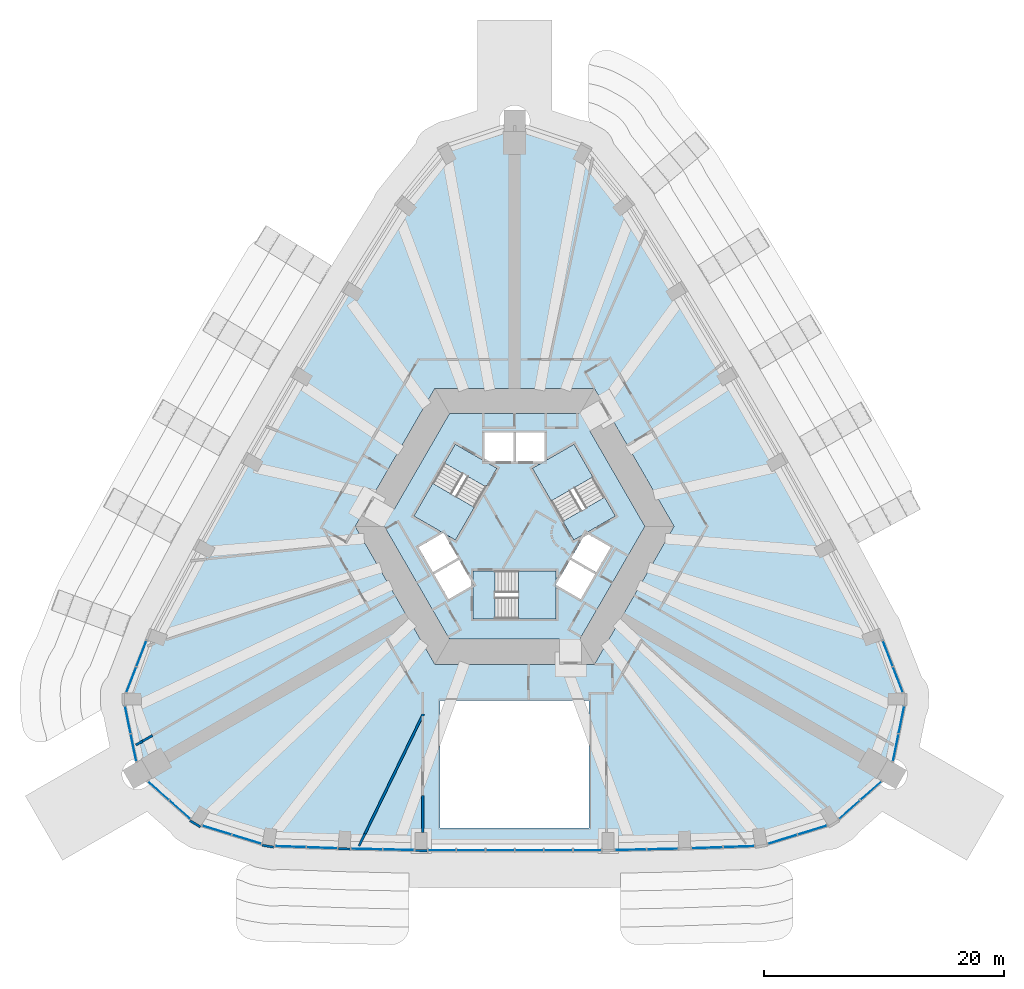
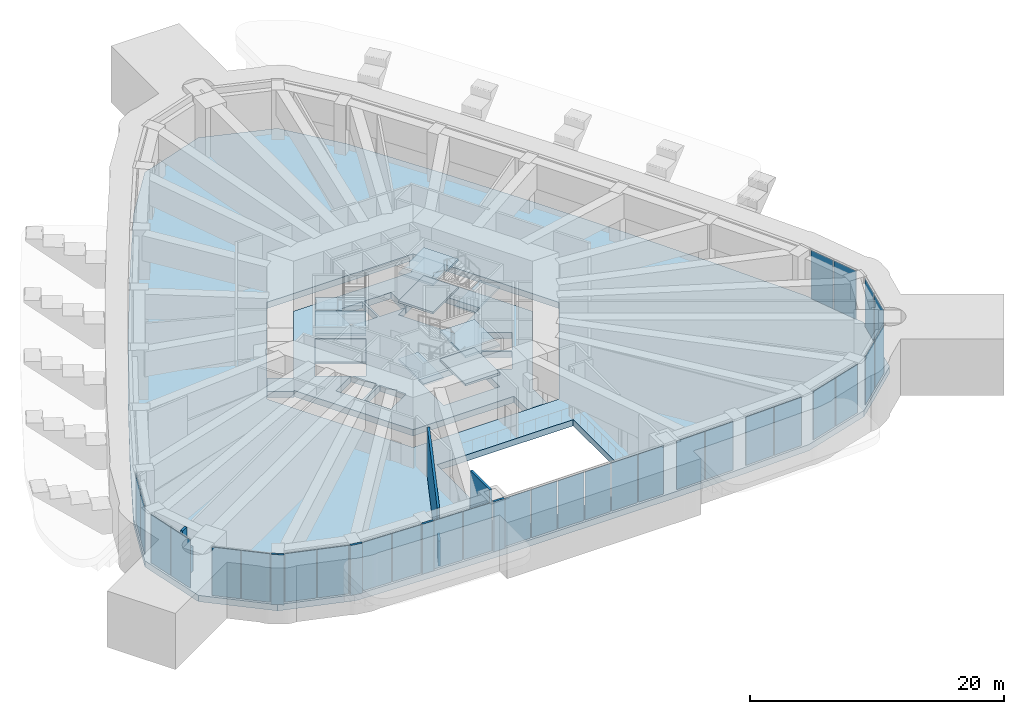
# One storey, part 7 of 21: 30 plates, 11 slabs, 9 walls, 16 elements without a shape of their own.
"""IFC4 building model written with IfcOpenShell, lengths in metres."""

from ifc_helpers import new_model, si_unit, direction, frame, frame_2d, origin, origin_2d, place, context, subcontext, project, spatial, polyline, rectangle, outline, extrude, material, layer, layer_set, type_object, element, aggregate, save


model = new_model("IFC4")

# Units and contexts
model_context = context("Model", 3, precision=1e-05, world=origin(), true_north=direction((0.0, 1.0)))
body_context = subcontext(model_context, "Body", "Model", "MODEL_VIEW")
ifc_project = project(units=[si_unit("LENGTHUNIT", "METRE"), si_unit("AREAUNIT", "SQUARE_METRE"), si_unit("VOLUMEUNIT", "CUBIC_METRE"), si_unit("PLANEANGLEUNIT", "RADIAN"), si_unit("MASSUNIT", "GRAM", prefix="KILO")], contexts=[model_context])

# Site, building, storey
site_placement = place(None, origin())
site = spatial("IfcSite", under=ifc_project, at=site_placement, CompositionType="ELEMENT")
building_placement = place(site_placement, origin())
building = spatial("IfcBuilding", under=site, at=building_placement, Name="Entoto Arch Interchange Tower", CompositionType="ELEMENT")
storey_placement = place(building_placement, frame((0.0, 0.0, 236.0)))
storey = spatial("IfcBuildingStorey", under=building, at=storey_placement, Name="L53", CompositionType="ELEMENT", Elevation=236.0)

# Slab
ifc_material_1 = material(Name="Concrete C40/50", Category="concrete")
ifc_layer_1 = layer(ifc_material_1, 0.60009765625)
ifc_layer_set_1 = layer_set([ifc_layer_1], Name="Concrete C40/50")
slab_type_1 = type_object("IfcSlabType", Name="Core floor slab 600 C40/50", PredefinedType="FLOOR", material=ifc_layer_set_1)
slab_1_placement = place(storey_placement, frame((0.0, 0.0, -0.60009765625)))
element("IfcSlab", 1, at=slab_1_placement, inside=storey, type_object=slab_type_1, Name="Core floor slab L53", PredefinedType="FLOOR", context=body_context, shape_type="SweptSolid", body=[
    extrude(outline(polyline([(-10.824951171875, 2.449951171875), (-10.887939453125, 2.343017578125), (-12.7490234375, 3.41796875), (-11.8349609375, 5.001953125), (-10.01611328125, 3.951904296875), (-5.427001953125, 11.89990234375), (5.3701171875, 11.89990234375), (5.30810546875, 12.007080078125), (7.169921875, 13.08203125), (8.0849609375, 11.498046875), (6.26611328125, 10.447021484375), (10.85400390625, 2.5), (5.4560546875, -6.85009765625), (5.580078125, -6.85009765625), (5.580078125, -9.0), (3.75, -9.0), (3.75, -6.89990234375), (-5.427001953125, -6.89990234375), (-10.824951171875, 2.449951171875)]), holes=[polyline([(-1.64990234375, -5.199951171875), (3.449951171875, -5.199951171875), (3.449951171875, -2.3779296875), (5.5048828125, -3.56494140625), (6.705078125, -1.487060546875), (4.626953125, -0.287109375), (3.449951171875, -2.324951171875), (3.449951171875, -1.199951171875), (-1.64990234375, -1.199951171875), (-1.64990234375, -5.199951171875)]), polyline([(-4.626953125, -0.287109375), (-6.705078125, -1.487060546875), (-5.5048828125, -3.56494140625), (-3.427001953125, -2.364990234375), (-4.626953125, -0.287109375)]), polyline([(-5.904052734375, 1.925048828125), (-4.928955078125, 1.362060546875), (-2.37890625, 5.779052734375), (-5.843017578125, 7.779052734375), (-8.39306640625, 3.362060546875), (-5.949951171875, 1.951904296875), (-8.0048828125, 0.764892578125), (-6.804931640625, -1.31298828125), (-4.72705078125, -0.113037109375), (-5.904052734375, 1.925048828125)]), polyline([(4.72705078125, -0.113037109375), (6.804931640625, -1.31298828125), (8.0048828125, 0.764892578125), (5.927001953125, 1.965087890625), (4.72705078125, -0.113037109375)]), polyline([(2.5, 7.927001953125), (2.5, 10.300048828125), (0.10009765625, 10.300048828125), (0.10009765625, 7.89990234375), (2.452880859375, 7.89990234375), (1.47900390625, 7.337890625), (4.029052734375, 2.9208984375), (7.492919921875, 4.9208984375), (4.943115234375, 9.337890625), (2.5, 7.927001953125)]), polyline([(-2.5, 7.89990234375), (-0.10009765625, 7.89990234375), (-0.10009765625, 10.300048828125), (-2.5, 10.300048828125), (-2.5, 7.89990234375)])]), origin(), (0.0, 0.0, 1.0), 0.60009765625),
])

# Stair, slabs
stair_type = type_object("IfcStairType", Name="EXIT STAIR RC 1800", PredefinedType="HALF_TURN_STAIR", material=ifc_material_1)
stair_1_placement = place(storey_placement, origin())
stair_1 = element("IfcStair", 2, at=stair_1_placement, inside=storey, type_object=stair_type, Name="L53 Exit stair S", PredefinedType="HALF_TURN_STAIR")
ifc_layer_2 = layer(ifc_material_1, 0.199951171875)
ifc_layer_set_2 = layer_set([ifc_layer_2], Name="Concrete C40/50")
slab_type_2 = type_object("IfcSlabType", Name="EXIT STAIR LANDING RC 200", PredefinedType="LANDING", material=ifc_layer_set_2)
slab_2_placement = place(storey_placement, frame((0.0, 0.0, 1.14990234375)))
slab_2 = element("IfcSlab", 3, at=slab_2_placement, type_object=slab_type_2, Name="ST-S landing 1", PredefinedType="LANDING", context=body_context, shape_type="SweptSolid", body=[
    extrude(outline(polyline([(0.31005859375, -5.199951171875), (3.449951171875, -5.199951171875), (3.449951171875, -1.199951171875), (0.31005859375, -1.199951171875), (0.31005859375, -5.199951171875)])), origin(), (0.0, 0.0, 1.0), 0.2001953125),
])
slab_3_placement = place(storey_placement, frame((0.0, 0.0, 2.5)))
slab_3 = element("IfcSlab", 4, at=slab_3_placement, type_object=slab_type_2, Name="ST-S landing 2", PredefinedType="LANDING", context=body_context, shape_type="SweptSolid", body=[
    extrude(outline(polyline([(-3.449951171875, -5.199951171875), (-1.64990234375, -5.199951171875), (-1.64990234375, -1.199951171875), (-3.449951171875, -1.199951171875), (-3.449951171875, -5.199951171875)])), origin(), (0.0, 0.0, 1.0), 0.199951171875),
])
slab_4_placement = place(storey_placement, frame((0.0, 0.0, 3.85009765625)))
slab_4 = element("IfcSlab", 5, at=slab_4_placement, type_object=slab_type_2, Name="ST-S landing 3", PredefinedType="LANDING", context=body_context, shape_type="SweptSolid", body=[
    extrude(outline(polyline([(0.31005859375, -5.199951171875), (3.449951171875, -5.199951171875), (3.449951171875, -1.199951171875), (0.31005859375, -1.199951171875), (0.31005859375, -5.199951171875)])), origin(), (0.0, 0.0, 1.0), 0.199951171875),
])
aggregate(stair_1, [slab_2, slab_3, slab_4])

stair_2_placement = place(storey_placement, origin())
stair_2 = element("IfcStair", 6, at=stair_2_placement, inside=storey, type_object=stair_type, Name="L53 Exit stair NE", PredefinedType="HALF_TURN_STAIR")
slab_5_placement = place(storey_placement, frame((0.0, 0.0, 1.14990234375)))
slab_5 = element("IfcSlab", 7, at=slab_5_placement, type_object=slab_type_2, Name="ST-NE landing 1", PredefinedType="LANDING", context=body_context, shape_type="SweptSolid", body=[
    extrude(outline(polyline([(6.513427734375, 6.618408203125), (4.943359375, 9.337890625), (1.479248046875, 7.337890625), (3.04931640625, 4.618408203125), (6.513427734375, 6.618408203125)])), origin(), (0.0, 0.0, 1.0), 0.2001953125),
])
slab_6_placement = place(storey_placement, frame((0.0, 0.0, 2.5)))
slab_6 = element("IfcSlab", 8, at=slab_6_placement, type_object=slab_type_2, Name="ST-NE landing 2", PredefinedType="LANDING", context=body_context, shape_type="SweptSolid", body=[
    extrude(outline(polyline([(8.393310546875, 3.3623046875), (7.493408203125, 4.921142578125), (4.029296875, 2.921142578125), (4.92919921875, 1.3623046875), (8.393310546875, 3.3623046875)])), origin(), (0.0, 0.0, 1.0), 0.199951171875),
])
slab_7_placement = place(storey_placement, frame((0.0, 0.0, 3.85009765625)))
slab_7 = element("IfcSlab", 9, at=slab_7_placement, type_object=slab_type_2, Name="ST-NE landing 3", PredefinedType="LANDING", context=body_context, shape_type="SweptSolid", body=[
    extrude(outline(polyline([(6.513427734375, 6.618408203125), (4.943359375, 9.337890625), (1.479248046875, 7.337890625), (3.04931640625, 4.618408203125), (6.513427734375, 6.618408203125)])), origin(), (0.0, 0.0, 1.0), 0.199951171875),
])
aggregate(stair_2, [slab_5, slab_6, slab_7])

stair_3_placement = place(storey_placement, origin())
stair_3 = element("IfcStair", 10, at=stair_3_placement, inside=storey, type_object=stair_type, Name="L53 Exit stair NW", PredefinedType="HALF_TURN_STAIR")
slab_8_placement = place(storey_placement, frame((0.0, 0.0, 1.14990234375)))
slab_8 = element("IfcSlab", 11, at=slab_8_placement, type_object=slab_type_2, Name="ST-NW landing 1", PredefinedType="LANDING", context=body_context, shape_type="SweptSolid", body=[
    extrude(outline(polyline([(-6.823486328125, 6.08154296875), (-8.393310546875, 3.3623046875), (-4.92919921875, 1.3623046875), (-3.359375, 4.08154296875), (-6.823486328125, 6.08154296875)])), origin(), (0.0, 0.0, 1.0), 0.2001953125),
])
slab_9_placement = place(storey_placement, frame((0.0, 0.0, 2.5)))
slab_9 = element("IfcSlab", 12, at=slab_9_placement, type_object=slab_type_2, Name="ST-NW landing 2", PredefinedType="LANDING", context=body_context, shape_type="SweptSolid", body=[
    extrude(outline(polyline([(-4.943359375, 9.337890625), (-5.843505859375, 7.779052734375), (-2.37939453125, 5.779052734375), (-1.479248046875, 7.337890625), (-4.943359375, 9.337890625)])), origin(), (0.0, 0.0, 1.0), 0.199951171875),
])
slab_10_placement = place(storey_placement, frame((0.0, 0.0, 3.85009765625)))
slab_10 = element("IfcSlab", 13, at=slab_10_placement, type_object=slab_type_2, Name="ST-NW landing 3", PredefinedType="LANDING", context=body_context, shape_type="SweptSolid", body=[
    extrude(outline(polyline([(-6.823486328125, 6.08154296875), (-8.393310546875, 3.3623046875), (-4.92919921875, 1.3623046875), (-3.359375, 4.08154296875), (-6.823486328125, 6.08154296875)])), origin(), (0.0, 0.0, 1.0), 0.199951171875),
])
aggregate(stair_3, [slab_8, slab_9, slab_10])

# Curtain wall, plates
ifc_material_2 = material(Name="Aluminium, anodised", Category="aluminium")
curtain_wall_type_1 = type_object("IfcCurtainWallType", Name="CURTAIN WALL ATRIUM", PredefinedType="NOTDEFINED", material=ifc_material_2)
curtain_wall_1_placement = place(storey_placement, origin())
curtain_wall_1 = element("IfcCurtainWall", 14, at=curtain_wall_1_placement, inside=storey, type_object=curtain_wall_type_1, Name="Atrium glazing S-03 L53", PredefinedType="NOTDEFINED")
ifc_material_3 = material(Name="Clear glass, low-e double glazed", Category="glass")
ifc_layer_3 = layer(ifc_material_3, 0.031982421875)
ifc_layer_set_3 = layer_set([ifc_layer_3], Name="Clear glass, low-e double glazed")
plate_type_1 = type_object("IfcPlateType", Name="GLAZING PANEL ATRIUM 32", PredefinedType="CURTAIN_PANEL", material=ifc_layer_set_3)
plate_1_placement = place(storey_placement, frame((-6.0576171875, -24.48095703125, 0.080078125), z_axis=(0.0, 0.0, 1.0), x_axis=(1.0, 0.0, 0.0)))
plate_1 = element("IfcPlate", 15, at=plate_1_placement, type_object=plate_type_1, Name="CWA panel 1.1", PredefinedType="CURTAIN_PANEL", context=body_context, shape_type="SweptSolid", body=[
    extrude(rectangle(XDim=2.282958984375, YDim=0.031982421875, at=origin_2d()), origin(), (0.0, 0.0, 1.0), 4.639892578125),
])
plate_2_placement = place(storey_placement, frame((-3.6494140625, -24.48095703125, 0.080078125), z_axis=(0.0, 0.0, 1.0), x_axis=(1.0, 0.0, 0.0)))
plate_2 = element("IfcPlate", 16, at=plate_2_placement, type_object=plate_type_1, Name="CWA panel 2.1", PredefinedType="CURTAIN_PANEL", context=body_context, shape_type="SweptSolid", body=[
    extrude(rectangle(XDim=2.3330078125, YDim=0.031982421875, at=origin_2d()), origin(), (0.0, 0.0, 1.0), 4.639892578125),
])
plate_3_placement = place(storey_placement, frame((-1.216552734375, -24.48095703125, 0.080078125), z_axis=(0.0, 0.0, 1.0), x_axis=(1.0, 0.0, 0.0)))
plate_3 = element("IfcPlate", 17, at=plate_3_placement, type_object=plate_type_1, Name="CWA panel 3.1", PredefinedType="CURTAIN_PANEL", context=body_context, shape_type="SweptSolid", body=[
    extrude(rectangle(XDim=2.3330078125, YDim=0.031982421875, at=origin_2d()), origin(), (0.0, 0.0, 1.0), 4.639892578125),
])
plate_4_placement = place(storey_placement, frame((1.216552734375, -24.48095703125, 0.080078125), z_axis=(0.0, 0.0, 1.0), x_axis=(1.0, 0.0, 0.0)))
plate_4 = element("IfcPlate", 18, at=plate_4_placement, type_object=plate_type_1, Name="CWA panel 4.1", PredefinedType="CURTAIN_PANEL", context=body_context, shape_type="SweptSolid", body=[
    extrude(rectangle(XDim=2.3330078125, YDim=0.031982421875, at=origin_2d()), origin(), (0.0, 0.0, 1.0), 4.639892578125),
])
plate_5_placement = place(storey_placement, frame((3.6494140625, -24.48095703125, 0.080078125), z_axis=(0.0, 0.0, 1.0), x_axis=(1.0, 0.0, 0.0)))
plate_5 = element("IfcPlate", 19, at=plate_5_placement, type_object=plate_type_1, Name="CWA panel 5.1", PredefinedType="CURTAIN_PANEL", context=body_context, shape_type="SweptSolid", body=[
    extrude(rectangle(XDim=2.3330078125, YDim=0.031982421875, at=origin_2d()), origin(), (0.0, 0.0, 1.0), 4.639892578125),
])
plate_6_placement = place(storey_placement, frame((6.0576171875, -24.48095703125, 0.080078125), z_axis=(0.0, 0.0, 1.0), x_axis=(1.0, 0.0, 0.0)))
plate_6 = element("IfcPlate", 20, at=plate_6_placement, type_object=plate_type_1, Name="CWA panel 6.1", PredefinedType="CURTAIN_PANEL", context=body_context, shape_type="SweptSolid", body=[
    extrude(rectangle(XDim=2.282958984375, YDim=0.031982421875, at=origin_2d()), origin(), (0.0, 0.0, 1.0), 4.639892578125),
])
aggregate(curtain_wall_1, [plate_1, plate_2, plate_3, plate_4, plate_5, plate_6])

curtain_wall_type_2 = type_object("IfcCurtainWallType", Name="CURTAIN WALL SKY LOBBY", PredefinedType="NOTDEFINED", material=ifc_material_2)
curtain_wall_2_placement = place(storey_placement, origin())
curtain_wall_2 = element("IfcCurtainWall", 21, at=curtain_wall_2_placement, inside=storey, type_object=curtain_wall_type_2, Name="Sky Lobby glazing S-01 L53", PredefinedType="NOTDEFINED")
ifc_layer_4 = layer(ifc_material_3, 0.030029296875)
ifc_layer_set_4 = layer_set([ifc_layer_4], Name="Clear glass, low-e double glazed")
plate_type_2 = type_object("IfcPlateType", Name="GLAZING PANEL SKY LOBBY 30", PredefinedType="CURTAIN_PANEL", material=ifc_layer_set_4)
plate_7_placement = place(storey_placement, frame((-18.68017578125, -24.179931640625, 0.06982421875), z_axis=(0.0, 0.0, 1.0), x_axis=(0.999380059286, -0.035206492311, 0.0)))
plate_7 = element("IfcPlate", 22, at=plate_7_placement, type_object=plate_type_2, Name="CWS panel 1.1", PredefinedType="CURTAIN_PANEL", context=body_context, shape_type="SweptSolid", body=[
    extrude(rectangle(XDim=2.549072265625, YDim=0.030029296875, at=origin_2d()), origin(), (0.0, 0.0, 1.0), 4.659912109375),
])
plate_8_placement = place(storey_placement, frame((-16.042724609375, -24.27294921875, 0.06982421875), z_axis=(0.0, 0.0, 1.0), x_axis=(0.999380059286, -0.035206492311, 0.0)))
plate_8 = element("IfcPlate", 23, at=plate_8_placement, type_object=plate_type_2, Name="CWS panel 2.1", PredefinedType="CURTAIN_PANEL", context=body_context, shape_type="SweptSolid", body=[
    extrude(rectangle(XDim=2.549072265625, YDim=0.030029296875, at=origin_2d()), origin(), (0.0, 0.0, 1.0), 4.659912109375),
])
aggregate(curtain_wall_2, [plate_7, plate_8])

curtain_wall_3_placement = place(storey_placement, origin())
curtain_wall_3 = element("IfcCurtainWall", 24, at=curtain_wall_3_placement, inside=storey, type_object=curtain_wall_type_2, Name="Sky Lobby glazing S-02 L53", PredefinedType="NOTDEFINED")
plate_9_placement = place(storey_placement, frame((-12.313232421875, -24.380615234375, 0.06982421875), z_axis=(0.0, 0.0, 1.0), x_axis=(0.999751801375, -0.022278591676, 0.0)))
plate_9 = element("IfcPlate", 25, at=plate_9_placement, type_object=plate_type_2, Name="CWS panel 1.1", PredefinedType="CURTAIN_PANEL", context=body_context, shape_type="SweptSolid", body=[
    extrude(rectangle(XDim=2.55810546875, YDim=0.030029296875, at=origin_2d()), origin(), (0.0, 0.0, 1.0), 4.659912109375),
])
plate_10_placement = place(storey_placement, frame((-9.665771484375, -24.439453125, 0.06982421875), z_axis=(0.0, 0.0, 1.0), x_axis=(0.999751801375, -0.022278591676, 0.0)))
plate_10 = element("IfcPlate", 26, at=plate_10_placement, type_object=plate_type_2, Name="CWS panel 2.1", PredefinedType="CURTAIN_PANEL", context=body_context, shape_type="SweptSolid", body=[
    extrude(rectangle(XDim=2.55810546875, YDim=0.030029296875, at=origin_2d()), origin(), (0.0, 0.0, 1.0), 4.659912109375),
])
aggregate(curtain_wall_3, [plate_9, plate_10])

curtain_wall_4_placement = place(storey_placement, origin())
curtain_wall_4 = element("IfcCurtainWall", 27, at=curtain_wall_4_placement, inside=storey, type_object=curtain_wall_type_2, Name="Sky Lobby glazing S-04 L53", PredefinedType="NOTDEFINED")
plate_11_placement = place(storey_placement, frame((9.665771484375, -24.439453125, 0.06982421875), z_axis=(0.0, 0.0, 1.0), x_axis=(0.999751801375, 0.022278591676, 0.0)))
plate_11 = element("IfcPlate", 28, at=plate_11_placement, type_object=plate_type_2, Name="CWS panel 1.1", PredefinedType="CURTAIN_PANEL", context=body_context, shape_type="SweptSolid", body=[
    extrude(rectangle(XDim=2.55810546875, YDim=0.030029296875, at=origin_2d()), origin(), (0.0, 0.0, 1.0), 4.659912109375),
])
plate_12_placement = place(storey_placement, frame((12.313232421875, -24.380615234375, 0.06982421875), z_axis=(0.0, 0.0, 1.0), x_axis=(0.999751801375, 0.022278591676, 0.0)))
plate_12 = element("IfcPlate", 29, at=plate_12_placement, type_object=plate_type_2, Name="CWS panel 2.1", PredefinedType="CURTAIN_PANEL", context=body_context, shape_type="SweptSolid", body=[
    extrude(rectangle(XDim=2.55810546875, YDim=0.030029296875, at=origin_2d()), origin(), (0.0, 0.0, 1.0), 4.659912109375),
])
aggregate(curtain_wall_4, [plate_11, plate_12])

curtain_wall_5_placement = place(storey_placement, origin())
curtain_wall_5 = element("IfcCurtainWall", 30, at=curtain_wall_5_placement, inside=storey, type_object=curtain_wall_type_2, Name="Sky Lobby glazing S-05 L53", PredefinedType="NOTDEFINED")
plate_13_placement = place(storey_placement, frame((16.042724609375, -24.27294921875, 0.06982421875), z_axis=(0.0, 0.0, 1.0), x_axis=(0.999380059286, 0.035206492311, 0.0)))
plate_13 = element("IfcPlate", 31, at=plate_13_placement, type_object=plate_type_2, Name="CWS panel 1.1", PredefinedType="CURTAIN_PANEL", context=body_context, shape_type="SweptSolid", body=[
    extrude(rectangle(XDim=2.549072265625, YDim=0.030029296875, at=origin_2d()), origin(), (0.0, 0.0, 1.0), 4.659912109375),
])
plate_14_placement = place(storey_placement, frame((18.68017578125, -24.179931640625, 0.06982421875), z_axis=(0.0, 0.0, 1.0), x_axis=(0.999380059286, 0.035206492311, 0.0)))
plate_14 = element("IfcPlate", 32, at=plate_14_placement, type_object=plate_type_2, Name="CWS panel 2.1", PredefinedType="CURTAIN_PANEL", context=body_context, shape_type="SweptSolid", body=[
    extrude(rectangle(XDim=2.549072265625, YDim=0.030029296875, at=origin_2d()), origin(), (0.0, 0.0, 1.0), 4.659912109375),
])
aggregate(curtain_wall_5, [plate_13, plate_14])

curtain_wall_6_placement = place(storey_placement, origin())
curtain_wall_6 = element("IfcCurtainWall", 33, at=curtain_wall_6_placement, inside=storey, type_object=curtain_wall_type_2, Name="Sky Lobby glazing SE-01 L53", PredefinedType="NOTDEFINED")
plate_15_placement = place(storey_placement, frame((22.31689453125, -23.56884765625, 0.06982421875), z_axis=(0.0, 0.0, 1.0), x_axis=(0.95567298155, 0.29443021641, 0.0)))
plate_15 = element("IfcPlate", 34, at=plate_15_placement, type_object=plate_type_2, Name="CWS panel 1.1", PredefinedType="CURTAIN_PANEL", context=body_context, shape_type="SweptSolid", body=[
    extrude(rectangle(XDim=2.517578125, YDim=0.030029296875, at=origin_2d()), origin(), (0.0, 0.0, 1.0), 4.659912109375),
])
plate_16_placement = place(storey_placement, frame((24.80908203125, -22.801025390625, 0.06982421875), z_axis=(0.0, 0.0, 1.0), x_axis=(0.95567298155, 0.29443021641, 0.0)))
plate_16 = element("IfcPlate", 35, at=plate_16_placement, type_object=plate_type_2, Name="CWS panel 2.1", PredefinedType="CURTAIN_PANEL", context=body_context, shape_type="SweptSolid", body=[
    extrude(rectangle(XDim=2.517578125, YDim=0.030029296875, at=origin_2d()), origin(), (0.0, 0.0, 1.0), 4.659912109375),
])
aggregate(curtain_wall_6, [plate_15, plate_16])

curtain_wall_7_placement = place(storey_placement, origin())
curtain_wall_7 = element("IfcCurtainWall", 36, at=curtain_wall_7_placement, inside=storey, type_object=curtain_wall_type_2, Name="Sky Lobby glazing SE-02 L53", PredefinedType="NOTDEFINED")
plate_17_placement = place(storey_placement, frame((27.896728515625, -21.097412109375, 0.06982421875), z_axis=(0.0, 0.0, 1.0), x_axis=(0.748468085187, 0.663170811675, 0.0)))
plate_17 = element("IfcPlate", 37, at=plate_17_placement, type_object=plate_type_2, Name="CWS panel 1.1", PredefinedType="CURTAIN_PANEL", context=body_context, shape_type="SweptSolid", body=[
    extrude(rectangle(XDim=2.285888671875, YDim=0.030029296875, at=origin_2d()), origin(), (0.0, 0.0, 1.0), 4.659912109375),
])
plate_18_placement = place(storey_placement, frame((29.675048828125, -19.521728515625, 0.06982421875), z_axis=(0.0, 0.0, 1.0), x_axis=(0.748468085187, 0.663170811675, 0.0)))
plate_18 = element("IfcPlate", 38, at=plate_18_placement, type_object=plate_type_2, Name="CWS panel 2.1", PredefinedType="CURTAIN_PANEL", context=body_context, shape_type="SweptSolid", body=[
    extrude(rectangle(XDim=2.285888671875, YDim=0.030029296875, at=origin_2d()), origin(), (0.0, 0.0, 1.0), 4.659912109375),
])
aggregate(curtain_wall_7, [plate_17, plate_18])

curtain_wall_8_placement = place(storey_placement, origin())
curtain_wall_8 = element("IfcCurtainWall", 39, at=curtain_wall_8_placement, inside=storey, type_object=curtain_wall_type_2, Name="Sky Lobby glazing SE-03 L53", PredefinedType="NOTDEFINED")
plate_19_placement = place(storey_placement, frame((31.744873046875, -15.938232421875, 0.06982421875), z_axis=(0.0, 0.0, 1.0), x_axis=(0.200166412455, 0.979761913592, 0.0)))
plate_19 = element("IfcPlate", 40, at=plate_19_placement, type_object=plate_type_2, Name="CWS panel 1.1", PredefinedType="CURTAIN_PANEL", context=body_context, shape_type="SweptSolid", body=[
    extrude(rectangle(XDim=2.285400390625, YDim=0.030029296875, at=origin_2d()), origin(), (0.0, 0.0, 1.0), 4.659912109375),
])
plate_20_placement = place(storey_placement, frame((32.22021484375, -13.61083984375, 0.06982421875), z_axis=(0.0, 0.0, 1.0), x_axis=(0.200166412455, 0.979761913592, 0.0)))
plate_20 = element("IfcPlate", 41, at=plate_20_placement, type_object=plate_type_2, Name="CWS panel 2.1", PredefinedType="CURTAIN_PANEL", context=body_context, shape_type="SweptSolid", body=[
    extrude(rectangle(XDim=2.285400390625, YDim=0.030029296875, at=origin_2d()), origin(), (0.0, 0.0, 1.0), 4.659912109375),
])
aggregate(curtain_wall_8, [plate_19, plate_20])

curtain_wall_9_placement = place(storey_placement, origin())
curtain_wall_9 = element("IfcCurtainWall", 42, at=curtain_wall_9_placement, inside=storey, type_object=curtain_wall_type_2, Name="Sky Lobby glazing SE-04 L53", PredefinedType="NOTDEFINED")
plate_21_placement = place(storey_placement, frame((31.92724609375, -10.269775390625, 0.06982421875), z_axis=(0.0, 0.0, 1.0), x_axis=(-0.361094516966, 0.932529221964, 0.0)))
plate_21 = element("IfcPlate", 43, at=plate_21_placement, type_object=plate_type_2, Name="CWS panel 1.1", PredefinedType="CURTAIN_PANEL", context=body_context, shape_type="SweptSolid", body=[
    extrude(rectangle(XDim=2.23974609375, YDim=0.030029296875, at=origin_2d()), origin(), (0.0, 0.0, 1.0), 4.659912109375),
])
plate_22_placement = place(storey_placement, frame((31.0859375, -8.09716796875, 0.06982421875), z_axis=(0.0, 0.0, 1.0), x_axis=(-0.361094516966, 0.932529221964, 0.0)))
plate_22 = element("IfcPlate", 44, at=plate_22_placement, type_object=plate_type_2, Name="CWS panel 2.1", PredefinedType="CURTAIN_PANEL", context=body_context, shape_type="SweptSolid", body=[
    extrude(rectangle(XDim=2.23974609375, YDim=0.030029296875, at=origin_2d()), origin(), (0.0, 0.0, 1.0), 4.659912109375),
])
aggregate(curtain_wall_9, [plate_21, plate_22])

curtain_wall_10_placement = place(storey_placement, origin())
curtain_wall_10 = element("IfcCurtainWall", 45, at=curtain_wall_10_placement, inside=storey, type_object=curtain_wall_type_2, Name="Sky Lobby glazing SW-01 L53", PredefinedType="NOTDEFINED")
plate_23_placement = place(storey_placement, frame((-31.0859375, -8.09716796875, 0.06982421875), z_axis=(0.0, 0.0, 1.0), x_axis=(-0.361094516966, -0.932529221964, 0.0)))
plate_23 = element("IfcPlate", 46, at=plate_23_placement, type_object=plate_type_2, Name="CWS panel 1.1", PredefinedType="CURTAIN_PANEL", context=body_context, shape_type="SweptSolid", body=[
    extrude(rectangle(XDim=2.23974609375, YDim=0.030029296875, at=origin_2d()), origin(), (0.0, 0.0, 1.0), 4.659912109375),
])
plate_24_placement = place(storey_placement, frame((-31.92724609375, -10.269775390625, 0.06982421875), z_axis=(0.0, 0.0, 1.0), x_axis=(-0.361094516966, -0.932529221964, 0.0)))
plate_24 = element("IfcPlate", 47, at=plate_24_placement, type_object=plate_type_2, Name="CWS panel 2.1", PredefinedType="CURTAIN_PANEL", context=body_context, shape_type="SweptSolid", body=[
    extrude(rectangle(XDim=2.23974609375, YDim=0.030029296875, at=origin_2d()), origin(), (0.0, 0.0, 1.0), 4.659912109375),
])
aggregate(curtain_wall_10, [plate_23, plate_24])

curtain_wall_11_placement = place(storey_placement, origin())
curtain_wall_11 = element("IfcCurtainWall", 48, at=curtain_wall_11_placement, inside=storey, type_object=curtain_wall_type_2, Name="Sky Lobby glazing SW-02 L53", PredefinedType="NOTDEFINED")
plate_25_placement = place(storey_placement, frame((-32.22021484375, -13.61083984375, 0.06982421875), z_axis=(0.0, 0.0, 1.0), x_axis=(0.200166412455, -0.979761913592, 0.0)))
plate_25 = element("IfcPlate", 49, at=plate_25_placement, type_object=plate_type_2, Name="CWS panel 1.1", PredefinedType="CURTAIN_PANEL", context=body_context, shape_type="SweptSolid", body=[
    extrude(rectangle(XDim=2.285400390625, YDim=0.030029296875, at=origin_2d()), origin(), (0.0, 0.0, 1.0), 4.659912109375),
])
plate_26_placement = place(storey_placement, frame((-31.744873046875, -15.938232421875, 0.06982421875), z_axis=(0.0, 0.0, 1.0), x_axis=(0.200166412455, -0.979761913592, 0.0)))
plate_26 = element("IfcPlate", 50, at=plate_26_placement, type_object=plate_type_2, Name="CWS panel 2.1", PredefinedType="CURTAIN_PANEL", context=body_context, shape_type="SweptSolid", body=[
    extrude(rectangle(XDim=2.285400390625, YDim=0.030029296875, at=origin_2d()), origin(), (0.0, 0.0, 1.0), 4.659912109375),
])
aggregate(curtain_wall_11, [plate_25, plate_26])

curtain_wall_12_placement = place(storey_placement, origin())
curtain_wall_12 = element("IfcCurtainWall", 51, at=curtain_wall_12_placement, inside=storey, type_object=curtain_wall_type_2, Name="Sky Lobby glazing SW-03 L53", PredefinedType="NOTDEFINED")
plate_27_placement = place(storey_placement, frame((-29.675048828125, -19.521728515625, 0.06982421875), z_axis=(0.0, 0.0, 1.0), x_axis=(0.748468085187, -0.663170811675, 0.0)))
plate_27 = element("IfcPlate", 52, at=plate_27_placement, type_object=plate_type_2, Name="CWS panel 1.1", PredefinedType="CURTAIN_PANEL", context=body_context, shape_type="SweptSolid", body=[
    extrude(rectangle(XDim=2.285888671875, YDim=0.030029296875, at=origin_2d()), origin(), (0.0, 0.0, 1.0), 4.659912109375),
])
plate_28_placement = place(storey_placement, frame((-27.896728515625, -21.097412109375, 0.06982421875), z_axis=(0.0, 0.0, 1.0), x_axis=(0.748468085187, -0.663170811675, 0.0)))
plate_28 = element("IfcPlate", 53, at=plate_28_placement, type_object=plate_type_2, Name="CWS panel 2.1", PredefinedType="CURTAIN_PANEL", context=body_context, shape_type="SweptSolid", body=[
    extrude(rectangle(XDim=2.285888671875, YDim=0.030029296875, at=origin_2d()), origin(), (0.0, 0.0, 1.0), 4.659912109375),
])
aggregate(curtain_wall_12, [plate_27, plate_28])

curtain_wall_13_placement = place(storey_placement, origin())
curtain_wall_13 = element("IfcCurtainWall", 54, at=curtain_wall_13_placement, inside=storey, type_object=curtain_wall_type_2, Name="Sky Lobby glazing SW-04 L53", PredefinedType="NOTDEFINED")
plate_29_placement = place(storey_placement, frame((-24.80908203125, -22.801025390625, 0.06982421875), z_axis=(0.0, 0.0, 1.0), x_axis=(0.95567298155, -0.29443021641, 0.0)))
plate_29 = element("IfcPlate", 55, at=plate_29_placement, type_object=plate_type_2, Name="CWS panel 1.1", PredefinedType="CURTAIN_PANEL", context=body_context, shape_type="SweptSolid", body=[
    extrude(rectangle(XDim=2.517578125, YDim=0.030029296875, at=origin_2d()), origin(), (0.0, 0.0, 1.0), 4.659912109375),
])
plate_30_placement = place(storey_placement, frame((-22.31689453125, -23.56884765625, 0.06982421875), z_axis=(0.0, 0.0, 1.0), x_axis=(0.95567298155, -0.29443021641, 0.0)))
plate_30 = element("IfcPlate", 56, at=plate_30_placement, type_object=plate_type_2, Name="CWS panel 2.1", PredefinedType="CURTAIN_PANEL", context=body_context, shape_type="SweptSolid", body=[
    extrude(rectangle(XDim=2.517578125, YDim=0.030029296875, at=origin_2d()), origin(), (0.0, 0.0, 1.0), 4.659912109375),
])
aggregate(curtain_wall_13, [plate_29, plate_30])

# Slab
ifc_layer_5 = layer(ifc_material_1, 0.60009765625)
ifc_layer_set_5 = layer_set([ifc_layer_5], Name="Concrete C40/50")
slab_type_3 = type_object("IfcSlabType", Name="Transfer floor slab post-tensioned 600 C40/50", PredefinedType="FLOOR", material=ifc_layer_set_5)
slab_11_placement = place(storey_placement, frame((0.0, 0.0, -0.60009765625)))
element("IfcSlab", 57, at=slab_11_placement, inside=storey, type_object=slab_type_3, Name="Floor slab L53", PredefinedType="FLOOR", context=body_context, shape_type="SweptSolid", body=[
    extrude(outline(polyline([(-20.569091796875, -24.239013671875), (-14.18505859375, -24.464111328125), (-7.800048828125, -24.60595703125), (7.800048828125, -24.60595703125), (14.18505859375, -24.464111328125), (20.569091796875, -24.239013671875), (26.658935546875, -22.361083984375), (31.422119140625, -18.14111328125), (32.695068359375, -11.906982421875), (30.5859375, -6.4599609375), (26.589111328125, 1.034912109375), (22.575927734375, 8.261962890625), (18.443115234375, 15.4208984375), (14.19091796875, 22.510009765625), (9.697998046875, 29.718017578125), (6.034912109375, 34.26904296875), (0.0, 36.282958984375), (-6.034912109375, 34.26904296875), (-9.697998046875, 29.718017578125), (-14.19091796875, 22.510009765625), (-18.443115234375, 15.4208984375), (-22.575927734375, 8.261962890625), (-26.589111328125, 1.034912109375), (-30.5859375, -6.4599609375), (-32.695068359375, -11.906982421875), (-31.422119140625, -18.14111328125), (-26.658935546875, -22.361083984375), (-20.569091796875, -24.239013671875)]), holes=[polyline([(6.199951171875, -22.60595703125), (6.199951171875, -12.0), (-6.199951171875, -12.0), (-6.199951171875, -22.60595703125), (6.199951171875, -22.60595703125)]), polyline([(13.279052734375, 2.5), (6.639892578125, 14.0), (-6.639892578125, 14.0), (-13.279052734375, 2.5), (-6.639892578125, -9.0), (6.639892578125, -9.0), (13.279052734375, 2.5)])]), origin(), (0.0, 0.0, 1.0), 0.60009765625),
])

# Walls
ifc_material_4 = material(Name="Gypsum board partition on steel studs", Category="steel")
ifc_layer_6 = layer(ifc_material_4, 0.199951171875)
ifc_layer_set_6 = layer_set([ifc_layer_6], Name="Gypsum board partition on steel studs")
wall_type_1 = type_object("IfcWallType", Name="PARTITION 200", PredefinedType="PARTITIONING", material=ifc_layer_set_6)
wall_1_placement = place(storey_placement, frame((-7.64990234375, -22.988037109375, 0.0), z_axis=(0.0, 0.0, 1.0), x_axis=(0.0, 1.0, 0.0)))
element("IfcWall", 58, at=wall_1_placement, inside=storey, type_object=wall_type_1, Name="wall:L53:p040", PredefinedType="PARTITIONING", context=body_context, shape_type="SweptSolid", body=[
    extrude(rectangle(XDim=3.06591796875, YDim=0.199951171875, at=frame_2d((1.532958984375, 0.0))), origin(), (0.0, 0.0, 1.0), 4.800048828125),
])
wall_2_placement = place(storey_placement, frame((-7.60595703125, -13.123046875, 0.0), z_axis=(0.0, 0.0, 1.0), x_axis=(-0.437790876822, -0.899076831073, 0.0)))
element("IfcWall", 59, at=wall_2_placement, inside=storey, type_object=wall_type_1, Name="wall:L53:p044", PredefinedType="PARTITIONING", context=body_context, shape_type="SweptSolid", body=[
    extrude(rectangle(XDim=11.108154296875, YDim=0.199951171875, at=frame_2d((5.55419921875, 0.0))), origin(), (0.0, 0.0, 1.0), 4.800048828125),
])
wall_3_placement = place(storey_placement, frame((-31.550048828125, -15.715087890625, 0.0), z_axis=(0.0, 0.0, 1.0), x_axis=(0.865781063021, 0.500422972009, 0.0)))
element("IfcWall", 60, at=wall_3_placement, inside=storey, type_object=wall_type_1, Name="wall:L53:p045", PredefinedType="PARTITIONING", context=body_context, shape_type="SweptSolid", body=[
    extrude(rectangle(XDim=0.6435546875, YDim=0.199951171875, at=frame_2d((0.32177734375, 0.0))), origin(), (0.0, 0.0, 1.0), 4.800048828125),
])
wall_4_placement = place(storey_placement, frame((-12.468994140625, -23.110107421875, 0.0), z_axis=(0.0, 0.0, 1.0), x_axis=(-0.437728823941, -0.899107044067, 0.0)))
element("IfcWall", 61, at=wall_4_placement, inside=storey, type_object=wall_type_1, Name="wall:L53:p044", PredefinedType="PARTITIONING", context=body_context, shape_type="SweptSolid", body=[
    extrude(rectangle(XDim=1.135498046875, YDim=0.199951171875, at=frame_2d((0.56787109375, 0.0))), origin(), (0.0, 0.0, 1.0), 2.39990234375),
])
wall_5_placement = place(storey_placement, frame((-30.992919921875, -15.39306640625, 0.0), z_axis=(0.0, 0.0, 1.0), x_axis=(0.866108284413, 0.499856419056, 0.0)))
element("IfcWall", 62, at=wall_5_placement, inside=storey, type_object=wall_type_1, Name="wall:L53:p045", PredefinedType="PARTITIONING", context=body_context, shape_type="SweptSolid", body=[
    extrude(rectangle(XDim=0.946533203125, YDim=0.199951171875, at=frame_2d((0.47314453125, 0.0))), origin(), (0.0, 0.0, 1.0), 2.39990234375),
])
ifc_material_5 = material(Name="Board-marked precast concrete C50/60", Category="concrete")
ifc_layer_7 = layer(ifc_material_5, 0.199951171875)
ifc_layer_set_7 = layer_set([ifc_layer_7], Name="Board-marked precast concrete C50/60")
wall_type_2 = type_object("IfcWallType", Name="PRECAST FRAME WALL 200", PredefinedType="STANDARD", material=ifc_layer_set_7)
wall_6_placement = place(storey_placement, frame((-21.044921875, -24.055908203125, 0.0), z_axis=(0.0, 0.0, 1.0), x_axis=(0.985590881145, -0.169146726259, 0.0)))
element("IfcWall", 63, at=wall_6_placement, inside=storey, type_object=wall_type_2, Name="Frame pier S01 L53", PredefinedType="STANDARD", context=body_context, shape_type="SweptSolid", body=[
    extrude(rectangle(XDim=1.000244140625, YDim=0.199951171875, at=frame_2d((0.5, 0.0))), origin(), (0.0, 0.0, 1.0), 4.800048828125),
])
wall_7_placement = place(storey_placement, frame((-14.680908203125, -24.346923828125, 0.0), z_axis=(0.0, 0.0, 1.0), x_axis=(0.999415245245, -0.034193092457, 0.0)))
element("IfcWall", 64, at=wall_7_placement, inside=storey, type_object=wall_type_2, Name="Frame pier S02 L53", PredefinedType="STANDARD", context=body_context, shape_type="SweptSolid", body=[
    extrude(rectangle(XDim=0.99951171875, YDim=0.199951171875, at=frame_2d((0.499755859375, 0.0))), origin(), (0.0, 0.0, 1.0), 4.800048828125),
])
wall_8_placement = place(storey_placement, frame((-8.299072265625, -24.4990234375, 0.0), z_axis=(0.0, 0.0, 1.0), x_axis=(0.999903186316, -0.013914668364, 0.0)))
element("IfcWall", 65, at=wall_8_placement, inside=storey, type_object=wall_type_2, Name="Frame pier S03 L53", PredefinedType="STANDARD", context=body_context, shape_type="SweptSolid", body=[
    extrude(rectangle(XDim=1.0, YDim=0.199951171875, at=frame_2d((0.5, 0.0))), origin(), (0.0, 0.0, 1.0), 4.800048828125),
])
wall_9_placement = place(storey_placement, frame((-27.033935546875, -22.014892578125, 0.0), z_axis=(0.0, 0.0, 1.0), x_axis=(0.853679739553, -0.520798331677, 0.0)))
element("IfcWall", 66, at=wall_9_placement, inside=storey, type_object=wall_type_2, Name="Frame pier SW3 L53", PredefinedType="STANDARD", context=body_context, shape_type="SweptSolid", body=[
    extrude(rectangle(XDim=1.00048828125, YDim=0.199951171875, at=frame_2d((0.500244140625, 0.0))), origin(), (0.0, 0.0, 1.0), 4.800048828125),
])

save(model, "model.ifc")
